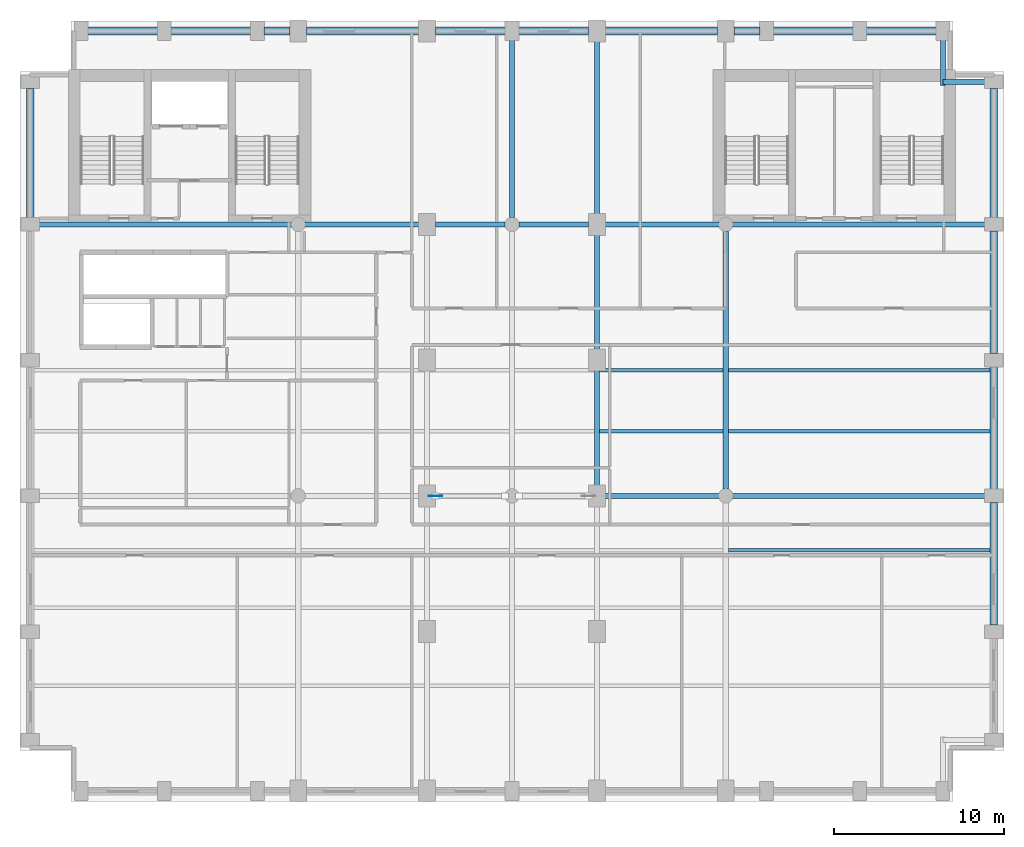
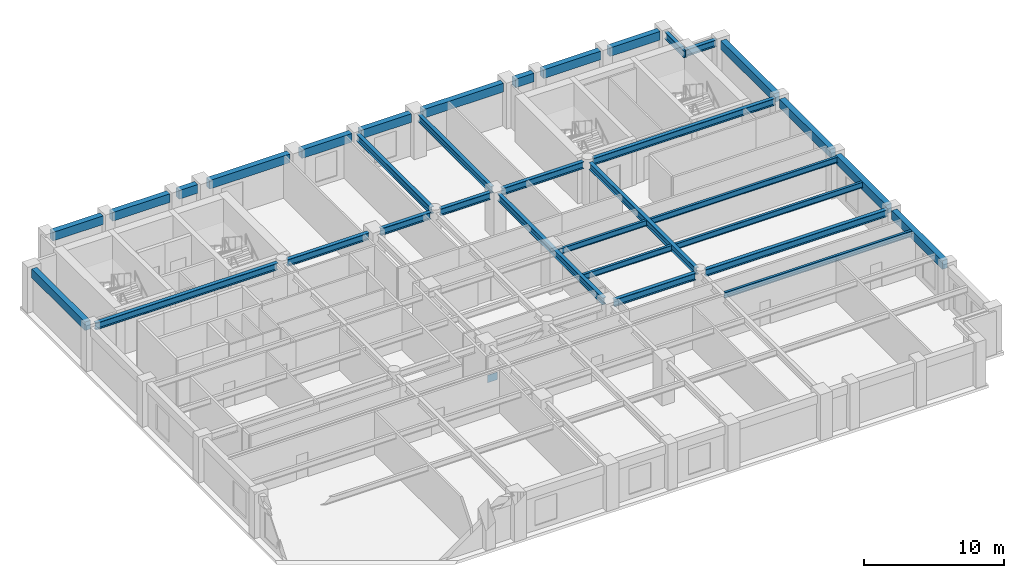
# One storey, part 2 of 10: 34 beams, 1 plate.
"""IFC4 building model written with IfcOpenShell, lengths in metres."""

from ifc_helpers import new_model, si_unit, direction, frame, origin, origin_2d, place, context, subcontext, project, spatial, rectangle, i_section, extrude, material, layer, layer_set, material_profile, profile_set, type_object, element, save


model = new_model("IFC4")

# Units and contexts
model_context = context("Model", 3, precision=1e-05, world=origin(), true_north=direction((0.0, 1.0)))
body_context = subcontext(model_context, "Body", "Model", "MODEL_VIEW")
ifc_project = project(units=[si_unit("LENGTHUNIT", "METRE"), si_unit("AREAUNIT", "SQUARE_METRE"), si_unit("VOLUMEUNIT", "CUBIC_METRE"), si_unit("PLANEANGLEUNIT", "RADIAN"), si_unit("MASSUNIT", "GRAM", prefix="KILO")], contexts=[model_context])

# Site, building, storey
site_placement = place(None, origin())
site = spatial("IfcSite", under=ifc_project, at=site_placement, CompositionType="ELEMENT")
building_placement = place(site_placement, origin())
building = spatial("IfcBuilding", under=site, at=building_placement, Name="Sulina Concourse Tower", CompositionType="ELEMENT")
storey_placement = place(building_placement, frame((0.0, 0.0, 214.60009765625)))
storey = spatial("IfcBuildingStorey", under=building, at=storey_placement, Name="L52", CompositionType="ELEMENT", Elevation=214.60009765625)

# Beams
ifc_material_1 = material(Name="Steel S355", Category="steel")
ifc_material_profile_1 = material_profile(ifc_material_1, i_section(OverallWidth=0.199951171875, OverallDepth=0.5, WebThickness=0.01025390625, FlangeThickness=0.01611328125, at=origin_2d()), Name="IPE 500")
ifc_profile_set_1 = profile_set([ifc_material_profile_1], Name="Steel S355")
beam_type_1 = type_object("IfcBeamType", Name="Composite Floor Joist IPE500", PredefinedType="JOIST", material=ifc_profile_set_1)
beam_1_placement = place(storey_placement, frame((41.75, 14.800048828125, 3.5), z_axis=(1.0, 0.0, 0.0), x_axis=(0.0, 1.0, 0.0)))
element("IfcBeam", 1, at=beam_1_placement, inside=storey, type_object=beam_type_1, Name="FJ-J15-6-L52", PredefinedType="JOIST", context=body_context, shape_type="SweptSolid", body=[
    extrude(i_section(OverallWidth=0.199951171875, OverallDepth=0.5, WebThickness=0.01025390625, FlangeThickness=0.01611328125, at=origin_2d()), origin(), (0.0, 0.0, 1.0), 15.425048828125),
])
beam_2_placement = place(storey_placement, frame((34.14990234375, 21.800048828125, 3.5), z_axis=(1.0, 0.0, 0.0), x_axis=(0.0, 1.0, 0.0)))
element("IfcBeam", 2, at=beam_2_placement, inside=storey, type_object=beam_type_1, Name="FJ-J22-5-L52", PredefinedType="JOIST", context=body_context, shape_type="SweptSolid", body=[
    extrude(i_section(OverallWidth=0.199951171875, OverallDepth=0.5, WebThickness=0.01025390625, FlangeThickness=0.01611328125, at=origin_2d()), origin(), (0.0, 0.0, 1.0), 7.300048828125),
])
beam_3_placement = place(storey_placement, frame((41.75, 21.800048828125, 3.5), z_axis=(1.0, 0.0, 0.0), x_axis=(0.0, 1.0, 0.0)))
element("IfcBeam", 3, at=beam_3_placement, inside=storey, type_object=beam_type_1, Name="FJ-J22-6-L52", PredefinedType="JOIST", context=body_context, shape_type="SweptSolid", body=[
    extrude(i_section(OverallWidth=0.199951171875, OverallDepth=0.5, WebThickness=0.01025390625, FlangeThickness=0.01611328125, at=origin_2d()), origin(), (0.0, 0.0, 1.0), 15.425048828125),
])
beam_4_placement = place(storey_placement, frame((34.14990234375, 25.39990234375, 3.5), z_axis=(1.0, 0.0, 0.0), x_axis=(0.0, 1.0, 0.0)))
element("IfcBeam", 4, at=beam_4_placement, inside=storey, type_object=beam_type_1, Name="FJ-J25-5-L52", PredefinedType="JOIST", context=body_context, shape_type="SweptSolid", body=[
    extrude(i_section(OverallWidth=0.199951171875, OverallDepth=0.5, WebThickness=0.01025390625, FlangeThickness=0.01611328125, at=origin_2d()), origin(), (0.0, 0.0, 1.0), 7.300048828125),
])
beam_5_placement = place(storey_placement, frame((41.75, 25.39990234375, 3.5), z_axis=(1.0, 0.0, 0.0), x_axis=(0.0, 1.0, 0.0)))
element("IfcBeam", 5, at=beam_5_placement, inside=storey, type_object=beam_type_1, Name="FJ-J25-6-L52", PredefinedType="JOIST", context=body_context, shape_type="SweptSolid", body=[
    extrude(i_section(OverallWidth=0.199951171875, OverallDepth=0.5, WebThickness=0.01025390625, FlangeThickness=0.01611328125, at=origin_2d()), origin(), (0.0, 0.0, 1.0), 15.425048828125),
])
ifc_material_2 = material(Name="Steel S355", Category="steel")
ifc_material_profile_2 = material_profile(ifc_material_2, i_section(OverallWidth=0.300048828125, OverallDepth=0.60009765625, WebThickness=0.015380859375, FlangeThickness=0.030029296875, at=origin_2d()), Name="HE 600 B")
ifc_profile_set_2 = profile_set([ifc_material_profile_2], Name="Steel S355")
beam_type_2 = type_object("IfcBeamType", Name="Floor Primary Girder Zone 3 HE600B", PredefinedType="BEAM", material=ifc_profile_set_2)
beam_6_placement = place(storey_placement, frame((54.39990234375, 42.39990234375, 3.449951171875), z_axis=(1.0, 0.0, 0.0), x_axis=(0.0, 1.0, 0.0)))
element("IfcBeam", 6, at=beam_6_placement, inside=storey, type_object=beam_type_2, Name="TIE-NE-L52", PredefinedType="BEAM", context=body_context, shape_type="SweptSolid", body=[
    extrude(i_section(OverallWidth=0.300048828125, OverallDepth=0.60009765625, WebThickness=0.015380859375, FlangeThickness=0.030029296875, at=origin_2d()), origin(), (0.0, 0.0, 1.0), 2.6201171875),
])
beam_7_placement = place(storey_placement, frame((54.39990234375, 42.199951171875, 3.449951171875), z_axis=(0.0, 1.0, 0.0), x_axis=(-1.0, 0.0, 0.0)))
element("IfcBeam", 7, at=beam_7_placement, inside=storey, type_object=beam_type_2, Name="TIE-NEN-L52", PredefinedType="BEAM", context=body_context, shape_type="SweptSolid", body=[
    extrude(i_section(OverallWidth=0.300048828125, OverallDepth=0.60009765625, WebThickness=0.015380859375, FlangeThickness=0.030029296875, at=origin_2d()), origin(), (0.0, 0.0, 1.0), 2.820068359375),
])
beam_8_placement = place(storey_placement, frame((34.47998046875, 18.0, 3.449951171875), z_axis=(1.0, 0.0, 0.0), x_axis=(0.0, 1.0, 0.0)))
element("IfcBeam", 8, at=beam_8_placement, inside=storey, type_object=beam_type_2, Name="FG-EW5-L52", PredefinedType="BEAM", context=body_context, shape_type="SweptSolid", body=[
    extrude(i_section(OverallWidth=0.300048828125, OverallDepth=0.60009765625, WebThickness=0.015380859375, FlangeThickness=0.030029296875, at=origin_2d()), origin(), (0.0, 0.0, 1.0), 6.715087890625),
])
for number, where, z_axis, x_axis, name in (
    (9, (42.0048828125, 18.0, 3.449951171875), (1.0, 0.0, 0.0), (0.0, 1.0, 0.0), "FG-EW6-L52"),
    (10, (0.97998046875, 34.0, 3.449951171875), (1.0, 0.0, 0.0), (0.0, 1.0, 0.0), "FG-EWN1-L52"),
):
    element("IfcBeam", number, at=place(storey_placement, frame(where, z_axis=z_axis, x_axis=x_axis)), inside=storey, type_object=beam_type_2, Name=name, PredefinedType="BEAM", context=body_context, shape_type="SweptSolid", body=[
        extrude(i_section(OverallWidth=0.300048828125, OverallDepth=0.60009765625, WebThickness=0.015380859375, FlangeThickness=0.030029296875, at=origin_2d()), origin(), (0.0, 0.0, 1.0), 15.01513671875),
    ])
beam_9_placement = place(storey_placement, frame((16.804931640625, 34.0, 3.449951171875), z_axis=(1.0, 0.0, 0.0), x_axis=(0.0, 1.0, 0.0)))
element("IfcBeam", 11, at=beam_9_placement, inside=storey, type_object=beam_type_2, Name="FG-EWN2-L52", PredefinedType="BEAM", context=body_context, shape_type="SweptSolid", body=[
    extrude(i_section(OverallWidth=0.300048828125, OverallDepth=0.60009765625, WebThickness=0.015380859375, FlangeThickness=0.030029296875, at=origin_2d()), origin(), (0.0, 0.0, 1.0), 6.715087890625),
])
for number, where, z_axis, x_axis, name in (
    (12, (24.47998046875, 34.0, 3.449951171875), (1.0, 0.0, 0.0), (0.0, 1.0, 0.0), "FG-EWN3-L52"),
    (13, (29.405029296875, 34.0, 3.449951171875), (1.0, 0.0, 0.0), (0.0, 1.0, 0.0), "FG-EWN4-L52"),
):
    element("IfcBeam", number, at=place(storey_placement, frame(where, z_axis=z_axis, x_axis=x_axis)), inside=storey, type_object=beam_type_2, Name=name, PredefinedType="BEAM", context=body_context, shape_type="SweptSolid", body=[
        extrude(i_section(OverallWidth=0.300048828125, OverallDepth=0.60009765625, WebThickness=0.015380859375, FlangeThickness=0.030029296875, at=origin_2d()), origin(), (0.0, 0.0, 1.0), 4.114990234375),
    ])
beam_10_placement = place(storey_placement, frame((34.47998046875, 34.0, 3.449951171875), z_axis=(1.0, 0.0, 0.0), x_axis=(0.0, 1.0, 0.0)))
element("IfcBeam", 14, at=beam_10_placement, inside=storey, type_object=beam_type_2, Name="FG-EWN5-L52", PredefinedType="BEAM", context=body_context, shape_type="SweptSolid", body=[
    extrude(i_section(OverallWidth=0.300048828125, OverallDepth=0.60009765625, WebThickness=0.015380859375, FlangeThickness=0.030029296875, at=origin_2d()), origin(), (0.0, 0.0, 1.0), 6.715087890625),
])
beam_11_placement = place(storey_placement, frame((42.0048828125, 34.0, 3.449951171875), z_axis=(1.0, 0.0, 0.0), x_axis=(0.0, 1.0, 0.0)))
element("IfcBeam", 15, at=beam_11_placement, inside=storey, type_object=beam_type_2, Name="FG-EWN6-L52", PredefinedType="BEAM", context=body_context, shape_type="SweptSolid", body=[
    extrude(i_section(OverallWidth=0.300048828125, OverallDepth=0.60009765625, WebThickness=0.015380859375, FlangeThickness=0.030029296875, at=origin_2d()), origin(), (0.0, 0.0, 1.0), 15.01513671875),
])
beam_12_placement = place(storey_placement, frame((29.0, 34.405029296875, 3.449951171875), z_axis=(0.0, 1.0, 0.0), x_axis=(-1.0, 0.0, 0.0)))
element("IfcBeam", 16, at=beam_12_placement, inside=storey, type_object=beam_type_2, Name="FG-NSC-29-L52", PredefinedType="BEAM", context=body_context, shape_type="SweptSolid", body=[
    extrude(i_section(OverallWidth=0.300048828125, OverallDepth=0.60009765625, WebThickness=0.015380859375, FlangeThickness=0.030029296875, at=origin_2d()), origin(), (0.0, 0.0, 1.0), 10.614990234375),
])
beam_13_placement = place(storey_placement, frame((34.0, 18.47998046875, 3.449951171875), z_axis=(0.0, 1.0, 0.0), x_axis=(-1.0, 0.0, 0.0)))
element("IfcBeam", 17, at=beam_13_placement, inside=storey, type_object=beam_type_2, Name="FG-NSB-34-L52", PredefinedType="BEAM", context=body_context, shape_type="SweptSolid", body=[
    extrude(i_section(OverallWidth=0.300048828125, OverallDepth=0.60009765625, WebThickness=0.015380859375, FlangeThickness=0.030029296875, at=origin_2d()), origin(), (0.0, 0.0, 1.0), 15.0400390625),
])
beam_14_placement = place(storey_placement, frame((34.0, 34.47998046875, 3.449951171875), z_axis=(0.0, 1.0, 0.0), x_axis=(-1.0, 0.0, 0.0)))
element("IfcBeam", 18, at=beam_14_placement, inside=storey, type_object=beam_type_2, Name="FG-NSC-34-L52", PredefinedType="BEAM", context=body_context, shape_type="SweptSolid", body=[
    extrude(i_section(OverallWidth=0.300048828125, OverallDepth=0.60009765625, WebThickness=0.015380859375, FlangeThickness=0.030029296875, at=origin_2d()), origin(), (0.0, 0.0, 1.0), 10.43994140625),
])
beam_15_placement = place(storey_placement, frame((41.60009765625, 18.405029296875, 3.449951171875), z_axis=(0.0, 1.0, 0.0), x_axis=(-1.0, 0.0, 0.0)))
element("IfcBeam", 19, at=beam_15_placement, inside=storey, type_object=beam_type_2, Name="FG-NSB-41-L52", PredefinedType="BEAM", context=body_context, shape_type="SweptSolid", body=[
    extrude(i_section(OverallWidth=0.300048828125, OverallDepth=0.60009765625, WebThickness=0.015380859375, FlangeThickness=0.030029296875, at=origin_2d()), origin(), (0.0, 0.0, 1.0), 15.18994140625),
])
ifc_material_3 = material(Name="Precast concrete C50/60", Category="concrete")
ifc_material_profile_3 = material_profile(ifc_material_3, rectangle(XDim=0.449951171875, YDim=0.75, at=origin_2d()), Name="RC 450x750")
ifc_profile_set_3 = profile_set([ifc_material_profile_3], Name="Precast concrete C50/60")
beam_type_3 = type_object("IfcBeamType", Name="Upper Precast Spandrel Edge Beam 450x750", PredefinedType="BEAM", material=ifc_profile_set_3)
beam_16_placement = place(storey_placement, frame((3.97998046875, 45.39990234375, 3.375), z_axis=(1.0, 0.0, 0.0), x_axis=(0.0, 1.0, 0.0)))
element("IfcBeam", 20, at=beam_16_placement, inside=storey, type_object=beam_type_3, Name="SP-N1-L52", PredefinedType="BEAM", context=body_context, shape_type="SweptSolid", body=[
    extrude(rectangle(XDim=0.449951171875, YDim=0.75, at=origin_2d()), origin(), (0.0, 0.0, 1.0), 4.14013671875),
])
beam_17_placement = place(storey_placement, frame((8.8798828125, 45.39990234375, 3.375), z_axis=(1.0, 0.0, 0.0), x_axis=(0.0, 1.0, 0.0)))
element("IfcBeam", 21, at=beam_17_placement, inside=storey, type_object=beam_type_3, Name="SP-N2-L52", PredefinedType="BEAM", context=body_context, shape_type="SweptSolid", body=[
    extrude(rectangle(XDim=0.449951171875, YDim=0.75, at=origin_2d()), origin(), (0.0, 0.0, 1.0), 4.740234375),
])
beam_18_placement = place(storey_placement, frame((14.3798828125, 45.39990234375, 3.375), z_axis=(1.0, 0.0, 0.0), x_axis=(0.0, 1.0, 0.0)))
element("IfcBeam", 22, at=beam_18_placement, inside=storey, type_object=beam_type_3, Name="SP-N3-L52", PredefinedType="BEAM", context=body_context, shape_type="SweptSolid", body=[
    extrude(rectangle(XDim=0.449951171875, YDim=0.75, at=origin_2d()), origin(), (0.0, 0.0, 1.0), 1.5400390625),
])
beam_19_placement = place(storey_placement, frame((16.8798828125, 45.39990234375, 3.375), z_axis=(1.0, 0.0, 0.0), x_axis=(0.0, 1.0, 0.0)))
element("IfcBeam", 23, at=beam_19_placement, inside=storey, type_object=beam_type_3, Name="SP-N4-L52", PredefinedType="BEAM", context=body_context, shape_type="SweptSolid", body=[
    extrude(rectangle(XDim=0.449951171875, YDim=0.75, at=origin_2d()), origin(), (0.0, 0.0, 1.0), 6.64013671875),
])
for number, where, z_axis, x_axis, name in (
    (24, (24.47998046875, 45.39990234375, 3.375), (1.0, 0.0, 0.0), (0.0, 1.0, 0.0), "SP-N5-L52"),
    (25, (29.3798828125, 45.39990234375, 3.375), (1.0, 0.0, 0.0), (0.0, 1.0, 0.0), "SP-N6-L52"),
):
    element("IfcBeam", number, at=place(storey_placement, frame(where, z_axis=z_axis, x_axis=x_axis)), inside=storey, type_object=beam_type_3, Name=name, PredefinedType="BEAM", context=body_context, shape_type="SweptSolid", body=[
        extrude(rectangle(XDim=0.449951171875, YDim=0.75, at=origin_2d()), origin(), (0.0, 0.0, 1.0), 4.14013671875),
    ])
beam_20_placement = place(storey_placement, frame((34.47998046875, 45.39990234375, 3.375), z_axis=(1.0, 0.0, 0.0), x_axis=(0.0, 1.0, 0.0)))
element("IfcBeam", 26, at=beam_20_placement, inside=storey, type_object=beam_type_3, Name="SP-N7-L52", PredefinedType="BEAM", context=body_context, shape_type="SweptSolid", body=[
    extrude(rectangle(XDim=0.449951171875, YDim=0.75, at=origin_2d()), origin(), (0.0, 0.0, 1.0), 6.64013671875),
])
beam_21_placement = place(storey_placement, frame((42.080078125, 45.39990234375, 3.375), z_axis=(1.0, 0.0, 0.0), x_axis=(0.0, 1.0, 0.0)))
element("IfcBeam", 27, at=beam_21_placement, inside=storey, type_object=beam_type_3, Name="SP-N8-L52", PredefinedType="BEAM", context=body_context, shape_type="SweptSolid", body=[
    extrude(rectangle(XDim=0.449951171875, YDim=0.75, at=origin_2d()), origin(), (0.0, 0.0, 1.0), 1.5400390625),
])
beam_22_placement = place(storey_placement, frame((44.3798828125, 45.39990234375, 3.375), z_axis=(1.0, 0.0, 0.0), x_axis=(0.0, 1.0, 0.0)))
element("IfcBeam", 28, at=beam_22_placement, inside=storey, type_object=beam_type_3, Name="SP-N9-L52", PredefinedType="BEAM", context=body_context, shape_type="SweptSolid", body=[
    extrude(rectangle(XDim=0.449951171875, YDim=0.75, at=origin_2d()), origin(), (0.0, 0.0, 1.0), 4.740234375),
])
beam_23_placement = place(storey_placement, frame((49.8798828125, 45.39990234375, 3.375), z_axis=(1.0, 0.0, 0.0), x_axis=(0.0, 1.0, 0.0)))
element("IfcBeam", 29, at=beam_23_placement, inside=storey, type_object=beam_type_3, Name="SP-N10-L52", PredefinedType="BEAM", context=body_context, shape_type="SweptSolid", body=[
    extrude(rectangle(XDim=0.449951171875, YDim=0.75, at=origin_2d()), origin(), (0.0, 0.0, 1.0), 4.14013671875),
])
beam_24_placement = place(storey_placement, frame((0.60009765625, 34.3798828125, 3.375), z_axis=(0.0, 1.0, 0.0), x_axis=(-1.0, 0.0, 0.0)))
element("IfcBeam", 30, at=beam_24_placement, inside=storey, type_object=beam_type_3, Name="SP-W5-L52", PredefinedType="BEAM", context=body_context, shape_type="SweptSolid", body=[
    extrude(rectangle(XDim=0.449951171875, YDim=0.75, at=origin_2d()), origin(), (0.0, 0.0, 1.0), 7.64013671875),
])
for number, where, z_axis, x_axis, name in (
    (31, (57.39990234375, 10.3798828125, 3.375), (0.0, 1.0, 0.0), (-1.0, 0.0, 0.0), "SP-E2-L52"),
    (32, (57.39990234375, 18.3798828125, 3.375), (0.0, 1.0, 0.0), (-1.0, 0.0, 0.0), "SP-E3-L52"),
    (33, (57.39990234375, 26.3798828125, 3.375), (0.0, 1.0, 0.0), (-1.0, 0.0, 0.0), "SP-E4-L52"),
):
    element("IfcBeam", number, at=place(storey_placement, frame(where, z_axis=z_axis, x_axis=x_axis)), inside=storey, type_object=beam_type_3, Name=name, PredefinedType="BEAM", context=body_context, shape_type="SweptSolid", body=[
        extrude(rectangle(XDim=0.449951171875, YDim=0.75, at=origin_2d()), origin(), (0.0, 0.0, 1.0), 7.240234375),
    ])
beam_25_placement = place(storey_placement, frame((57.39990234375, 34.3798828125, 3.375), z_axis=(0.0, 1.0, 0.0), x_axis=(-1.0, 0.0, 0.0)))
element("IfcBeam", 34, at=beam_25_placement, inside=storey, type_object=beam_type_3, Name="SP-E5-L52", PredefinedType="BEAM", context=body_context, shape_type="SweptSolid", body=[
    extrude(rectangle(XDim=0.449951171875, YDim=0.75, at=origin_2d()), origin(), (0.0, 0.0, 1.0), 7.64013671875),
])

# Plate
ifc_material_4 = material(Name="Steel S355", Category="steel")
ifc_layer = layer(ifc_material_4, 0.0400390625)
ifc_layer_set = layer_set([ifc_layer], Name="Steel S355")
plate_type = type_object("IfcPlateType", Name="Upper Bridge Node Gusset Plate 40mm", PredefinedType="USERDEFINED", material=ifc_layer_set)
plate_placement = place(storey_placement, frame((24.489990234375, 18.0, 0.094970703125), z_axis=(0.0, 0.0, 1.0), x_axis=(1.0, 0.0, 0.0)))
element("IfcPlate", 35, at=plate_placement, inside=storey, type_object=plate_type, Name="UBT-DG-1-L52 node gusset plate", ObjectType="GUSSET_PLATE", PredefinedType="USERDEFINED", context=body_context, shape_type="SweptSolid", body=[
    extrude(rectangle(XDim=0.800048828125, YDim=0.0400390625, at=origin_2d()), origin(), (0.0, 0.0, 1.0), 0.64990234375),
])

save(model, "model.ifc")
